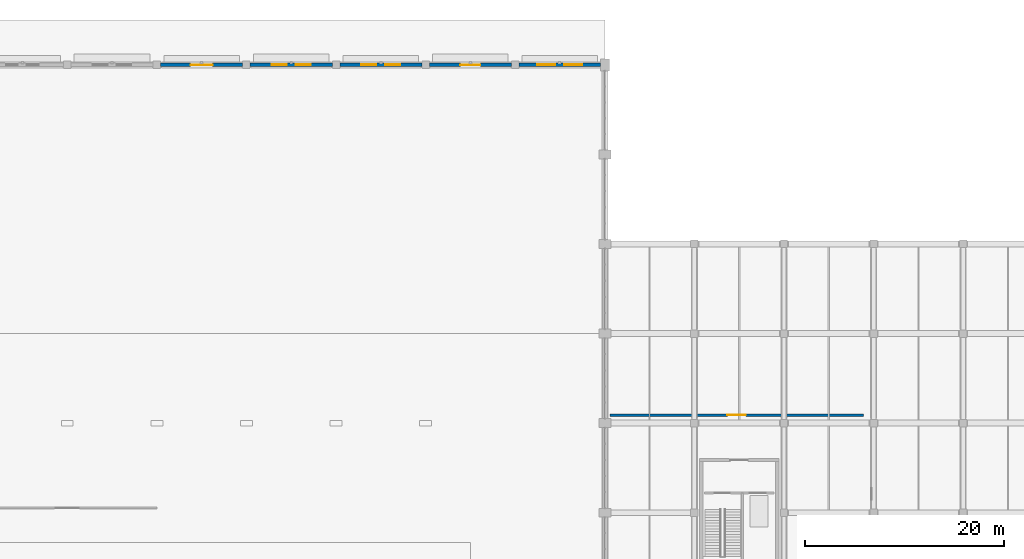
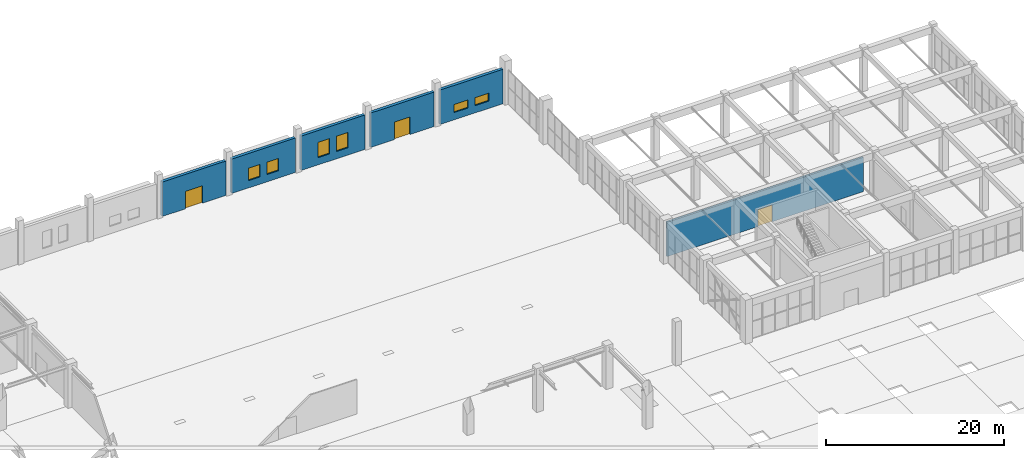
# One storey, part 69 of 91: 6 walls, 6 windows, 3 doors, 9 openings.
"""IFC4 building model written with IfcOpenShell, lengths in metres."""

from ifc_helpers import new_model, si_unit, direction, frame, frame_2d, origin, place, context, subcontext, project, spatial, rectangle, extrude, material, layer, layer_set, type_object, element, fill, save


model = new_model("IFC4")

# Units and contexts
model_context = context("Model", 3, precision=1e-05, world=origin(), true_north=direction((0.0, 1.0)))
body_context = subcontext(model_context, "Body", "Model", "MODEL_VIEW")
ifc_project = project(units=[si_unit("LENGTHUNIT", "METRE"), si_unit("AREAUNIT", "SQUARE_METRE"), si_unit("VOLUMEUNIT", "CUBIC_METRE"), si_unit("PLANEANGLEUNIT", "RADIAN"), si_unit("MASSUNIT", "GRAM", prefix="KILO")], contexts=[model_context])

# Site, building, storey
site_placement = place(None, origin())
site = spatial("IfcSite", under=ifc_project, at=site_placement, CompositionType="ELEMENT")
building_placement = place(site_placement, origin())
building = spatial("IfcBuilding", under=site, at=building_placement, Name="Dornveld Trade and Exhibition Forum", CompositionType="ELEMENT")
storey_placement = place(building_placement, origin())
storey = spatial("IfcBuildingStorey", under=building, at=storey_placement, Name="L00", CompositionType="ELEMENT", Elevation=0.0)

# Wall, opening, door
ifc_material_1 = material(Name="Precast concrete C50/60", Category="concrete")
ifc_layer_1 = layer(ifc_material_1, 0.3798828125)
ifc_layer_set_1 = layer_set([ifc_layer_1], Name="Precast concrete C50/60")
wall_type_1 = type_object("IfcWallType", Name="WL-EXT-PC380", PredefinedType="SOLIDWALL", material=ifc_layer_set_1)
wall_1_placement = place(storey_placement, frame((134.62548828125, 162.0, 0.0), z_axis=(0.0, 0.0, 1.0), x_axis=(-1.0, 0.0, 0.0)))
wall_1 = element("IfcWall", 1, at=wall_1_placement, inside=storey, type_object=wall_type_1, Name="L00 precast facade wall 31", PredefinedType="SOLIDWALL", context=body_context, shape_type="SweptSolid", body=[
    extrude(rectangle(XDim=8.2509765625, YDim=0.3798828125, at=frame_2d((4.12548828125, 0.0))), origin(), (0.0, 0.0, 1.0), 4.719970703125),
])
opening_1_placement = place(wall_1_placement, frame((3.025390625, 0.0, 0.0)))
opening_1 = element("IfcOpeningElement", 2, at=opening_1_placement, cuts=wall_1, Name="Opening ED-14", PredefinedType="OPENING", context=body_context, shape_type="SweptSolid", body=[
    extrude(rectangle(XDim=2.199951171875, YDim=2.39990234375, at=frame_2d((1.10009765625, 1.199951171875))), frame((0.0, 0.199951171875, 0.0), z_axis=(0.0, -1.0, 0.0), x_axis=(1.0, 0.0, 0.0)), (0.0, 0.0, 1.0), 0.39990234375),
])
ifc_material_2 = material(Name="Dark-bronze anodised aluminium and laminated safety glass", Category="aluminium")
door_type_1 = type_object("IfcDoorType", Name="DR-EXT-220x240", OperationType="NOTDEFINED", PredefinedType="DOOR", material=ifc_material_2)
door_1_placement = place(opening_1_placement, frame((2.199951171875, 0.0, 0.0), z_axis=(0.0, 0.0, 1.0), x_axis=(-1.0, 0.0, 0.0)))
door_1 = element("IfcDoor", 3, at=door_1_placement, inside=storey, type_object=door_type_1, Name="Ground final exit double door 14", OperationType="DOUBLE_DOOR_SINGLE_SWING", OverallHeight=2.39990234375, OverallWidth=2.199951171875, PredefinedType="DOOR", context=body_context, shape_type="SweptSolid", body=[
    extrude(rectangle(XDim=2.199951171875, YDim=2.39990234375, at=frame_2d((1.10009765625, 1.199951171875))), frame((0.0, 0.02490234375, 0.0), z_axis=(0.0, -1.0, 0.0), x_axis=(1.0, 0.0, 0.0)), (0.0, 0.0, 1.0), 0.050048828125),
])
fill(opening_1, door_1)

# Wall, openings, windows
wall_2_placement = place(storey_placement, frame((143.62548828125, 162.0, 0.0), z_axis=(0.0, 0.0, 1.0), x_axis=(-1.0, 0.0, 0.0)))
wall_2 = element("IfcWall", 4, at=wall_2_placement, inside=storey, type_object=wall_type_1, Name="L00 precast facade wall 32", PredefinedType="SOLIDWALL", context=body_context, shape_type="SweptSolid", body=[
    extrude(rectangle(XDim=8.2509765625, YDim=0.3798828125, at=frame_2d((4.12548828125, 0.0))), origin(), (0.0, 0.0, 1.0), 4.719970703125),
])
opening_2_placement = place(wall_2_placement, frame((2.175537109375, 0.0, 1.0)))
opening_2 = element("IfcOpeningElement", 5, at=opening_2_placement, cuts=wall_2, Name="Opening W-11", PredefinedType="OPENING", context=body_context, shape_type="SweptSolid", body=[
    extrude(rectangle(XDim=1.5, YDim=1.699951171875, at=frame_2d((0.75, 0.85009765625))), frame((0.0, 0.199951171875, 0.0), z_axis=(0.0, -1.0, 0.0), x_axis=(1.0, 0.0, 0.0)), (0.0, 0.0, 1.0), 0.39990234375),
])
opening_3_placement = place(wall_2_placement, frame((4.575439453125, 0.0, 1.0)))
opening_3 = element("IfcOpeningElement", 6, at=opening_3_placement, cuts=wall_2, Name="Opening W-11", PredefinedType="OPENING", context=body_context, shape_type="SweptSolid", body=[
    extrude(rectangle(XDim=1.5, YDim=1.699951171875, at=frame_2d((0.75, 0.85009765625))), frame((0.0, 0.199951171875, 0.0), z_axis=(0.0, -1.0, 0.0), x_axis=(1.0, 0.0, 0.0)), (0.0, 0.0, 1.0), 0.39990234375),
])
ifc_material_3 = material(Name="Dark-bronze anodised aluminium and low-E glass", Category="aluminium")
window_type_1 = type_object("IfcWindowType", Name="WIN-AL-11", PartitioningType="SINGLE_PANEL", PredefinedType="WINDOW", material=ifc_material_3)
window_1_placement = place(opening_2_placement, origin())
window_1 = element("IfcWindow", 7, at=window_1_placement, inside=storey, type_object=window_type_1, Name="L00 facade window 11", OverallHeight=1.699951171875, OverallWidth=1.5, PartitioningType="SINGLE_PANEL", PredefinedType="WINDOW", context=body_context, shape_type="SweptSolid", body=[
    extrude(rectangle(XDim=1.5, YDim=1.699951171875, at=frame_2d((0.75, 0.85009765625))), frame((0.0, 0.030029296875, 0.0), z_axis=(0.0, -1.0, 0.0), x_axis=(1.0, 0.0, 0.0)), (0.0, 0.0, 1.0), 0.06005859375),
])
fill(opening_2, window_1)
window_2_placement = place(opening_3_placement, origin())
window_2 = element("IfcWindow", 8, at=window_2_placement, inside=storey, type_object=window_type_1, Name="L00 facade window 12", OverallHeight=1.699951171875, OverallWidth=1.5, PartitioningType="SINGLE_PANEL", PredefinedType="WINDOW", context=body_context, shape_type="SweptSolid", body=[
    extrude(rectangle(XDim=1.5, YDim=1.699951171875, at=frame_2d((0.75, 0.85009765625))), frame((0.0, 0.030029296875, 0.0), z_axis=(0.0, -1.0, 0.0), x_axis=(1.0, 0.0, 0.0)), (0.0, 0.0, 1.0), 0.06005859375),
])
fill(opening_3, window_2)

wall_3_placement = place(storey_placement, frame((152.62548828125, 162.0, 0.0), z_axis=(0.0, 0.0, 1.0), x_axis=(-1.0, 0.0, 0.0)))
wall_3 = element("IfcWall", 9, at=wall_3_placement, inside=storey, type_object=wall_type_1, Name="L00 precast facade wall 33", PredefinedType="SOLIDWALL", context=body_context, shape_type="SweptSolid", body=[
    extrude(rectangle(XDim=8.2509765625, YDim=0.3798828125, at=frame_2d((4.12548828125, 0.0))), origin(), (0.0, 0.0, 1.0), 4.719970703125),
])
opening_4_placement = place(wall_3_placement, frame((2.175537109375, 0.0, 1.0)))
opening_4 = element("IfcOpeningElement", 10, at=opening_4_placement, cuts=wall_3, Name="Opening W-13", PredefinedType="OPENING", context=body_context, shape_type="SweptSolid", body=[
    extrude(rectangle(XDim=1.5, YDim=2.10009765625, at=frame_2d((0.75, 1.050048828125))), frame((0.0, 0.199951171875, 0.0), z_axis=(0.0, -1.0, 0.0), x_axis=(1.0, 0.0, 0.0)), (0.0, 0.0, 1.0), 0.39990234375),
])
opening_5_placement = place(wall_3_placement, frame((4.575439453125, 0.0, 1.0)))
opening_5 = element("IfcOpeningElement", 11, at=opening_5_placement, cuts=wall_3, Name="Opening W-13", PredefinedType="OPENING", context=body_context, shape_type="SweptSolid", body=[
    extrude(rectangle(XDim=1.5, YDim=2.10009765625, at=frame_2d((0.75, 1.050048828125))), frame((0.0, 0.199951171875, 0.0), z_axis=(0.0, -1.0, 0.0), x_axis=(1.0, 0.0, 0.0)), (0.0, 0.0, 1.0), 0.39990234375),
])
ifc_material_4 = material(Name="Dark-bronze anodised aluminium and low-E glass", Category="aluminium")
window_type_2 = type_object("IfcWindowType", Name="WIN-AL-13", PartitioningType="SINGLE_PANEL", PredefinedType="WINDOW", material=ifc_material_4)
window_3_placement = place(opening_4_placement, origin())
window_3 = element("IfcWindow", 12, at=window_3_placement, inside=storey, type_object=window_type_2, Name="L00 facade window 13", OverallHeight=2.10009765625, OverallWidth=1.5, PartitioningType="SINGLE_PANEL", PredefinedType="WINDOW", context=body_context, shape_type="SweptSolid", body=[
    extrude(rectangle(XDim=1.5, YDim=2.10009765625, at=frame_2d((0.75, 1.050048828125))), frame((0.0, 0.030029296875, 0.0), z_axis=(0.0, -1.0, 0.0), x_axis=(1.0, 0.0, 0.0)), (0.0, 0.0, 1.0), 0.06005859375),
])
fill(opening_4, window_3)
window_4_placement = place(opening_5_placement, origin())
window_4 = element("IfcWindow", 13, at=window_4_placement, inside=storey, type_object=window_type_2, Name="L00 facade window 14", OverallHeight=2.10009765625, OverallWidth=1.5, PartitioningType="SINGLE_PANEL", PredefinedType="WINDOW", context=body_context, shape_type="SweptSolid", body=[
    extrude(rectangle(XDim=1.5, YDim=2.10009765625, at=frame_2d((0.75, 1.050048828125))), frame((0.0, 0.030029296875, 0.0), z_axis=(0.0, -1.0, 0.0), x_axis=(1.0, 0.0, 0.0)), (0.0, 0.0, 1.0), 0.06005859375),
])
fill(opening_5, window_4)

# Wall, opening, door
wall_4_placement = place(storey_placement, frame((161.62548828125, 162.0, 0.0), z_axis=(0.0, 0.0, 1.0), x_axis=(-1.0, 0.0, 0.0)))
wall_4 = element("IfcWall", 14, at=wall_4_placement, inside=storey, type_object=wall_type_1, Name="L00 precast facade wall 34", PredefinedType="SOLIDWALL", context=body_context, shape_type="SweptSolid", body=[
    extrude(rectangle(XDim=8.2509765625, YDim=0.3798828125, at=frame_2d((4.12548828125, 0.0))), origin(), (0.0, 0.0, 1.0), 4.719970703125),
])
opening_6_placement = place(wall_4_placement, frame((3.12548828125, 0.0, 0.0)))
opening_6 = element("IfcOpeningElement", 15, at=opening_6_placement, cuts=wall_4, Name="Opening ED-15", PredefinedType="OPENING", context=body_context, shape_type="SweptSolid", body=[
    extrude(rectangle(XDim=2.0, YDim=2.39990234375, at=frame_2d((1.0, 1.199951171875))), frame((0.0, 0.199951171875, 0.0), z_axis=(0.0, -1.0, 0.0), x_axis=(1.0, 0.0, 0.0)), (0.0, 0.0, 1.0), 0.39990234375),
])
ifc_material_5 = material(Name="Dark-bronze anodised aluminium and laminated safety glass", Category="aluminium")
door_type_2 = type_object("IfcDoorType", Name="DR-EXT-200x240", OperationType="NOTDEFINED", PredefinedType="DOOR", material=ifc_material_5)
door_2_placement = place(opening_6_placement, frame((2.0, 0.0, 0.0), z_axis=(0.0, 0.0, 1.0), x_axis=(-1.0, 0.0, 0.0)))
door_2 = element("IfcDoor", 16, at=door_2_placement, inside=storey, type_object=door_type_2, Name="Ground final exit double door 15", OperationType="DOUBLE_DOOR_SINGLE_SWING", OverallHeight=2.39990234375, OverallWidth=2.0, PredefinedType="DOOR", context=body_context, shape_type="SweptSolid", body=[
    extrude(rectangle(XDim=2.0, YDim=2.39990234375, at=frame_2d((1.0, 1.199951171875))), frame((0.0, 0.02490234375, 0.0), z_axis=(0.0, -1.0, 0.0), x_axis=(1.0, 0.0, 0.0)), (0.0, 0.0, 1.0), 0.050048828125),
])
fill(opening_6, door_2)

# Wall, openings, windows
wall_5_placement = place(storey_placement, frame((170.550537109375, 162.0, 0.0), z_axis=(0.0, 0.0, 1.0), x_axis=(-1.0, 0.0, 0.0)))
wall_5 = element("IfcWall", 17, at=wall_5_placement, inside=storey, type_object=wall_type_1, Name="L00 precast facade wall 35", PredefinedType="SOLIDWALL", context=body_context, shape_type="SweptSolid", body=[
    extrude(rectangle(XDim=8.176025390625, YDim=0.3798828125, at=frame_2d((4.087890625, 0.0))), origin(), (0.0, 0.0, 1.0), 4.719970703125),
])
opening_7_placement = place(wall_5_placement, frame((1.837890625, 0.0, 1.0)))
opening_7 = element("IfcOpeningElement", 18, at=opening_7_placement, cuts=wall_5, Name="Opening W-15", PredefinedType="OPENING", context=body_context, shape_type="SweptSolid", body=[
    extrude(rectangle(XDim=1.800048828125, YDim=1.10009765625, at=frame_2d((0.89990234375, 0.550048828125))), frame((0.0, 0.199951171875, 0.0), z_axis=(0.0, -1.0, 0.0), x_axis=(1.0, 0.0, 0.0)), (0.0, 0.0, 1.0), 0.39990234375),
])
opening_8_placement = place(wall_5_placement, frame((4.5380859375, 0.0, 1.0)))
opening_8 = element("IfcOpeningElement", 19, at=opening_8_placement, cuts=wall_5, Name="Opening W-15", PredefinedType="OPENING", context=body_context, shape_type="SweptSolid", body=[
    extrude(rectangle(XDim=1.800048828125, YDim=1.10009765625, at=frame_2d((0.89990234375, 0.550048828125))), frame((0.0, 0.199951171875, 0.0), z_axis=(0.0, -1.0, 0.0), x_axis=(1.0, 0.0, 0.0)), (0.0, 0.0, 1.0), 0.39990234375),
])
ifc_material_6 = material(Name="Dark-bronze anodised aluminium and low-E glass", Category="aluminium")
window_type_3 = type_object("IfcWindowType", Name="WIN-AL-15", PartitioningType="SINGLE_PANEL", PredefinedType="WINDOW", material=ifc_material_6)
window_5_placement = place(opening_7_placement, origin())
window_5 = element("IfcWindow", 20, at=window_5_placement, inside=storey, type_object=window_type_3, Name="L00 facade window 15", OverallHeight=1.10009765625, OverallWidth=1.800048828125, PartitioningType="SINGLE_PANEL", PredefinedType="WINDOW", context=body_context, shape_type="SweptSolid", body=[
    extrude(rectangle(XDim=1.800048828125, YDim=1.10009765625, at=frame_2d((0.89990234375, 0.550048828125))), frame((0.0, 0.030029296875, 0.0), z_axis=(0.0, -1.0, 0.0), x_axis=(1.0, 0.0, 0.0)), (0.0, 0.0, 1.0), 0.06005859375),
])
fill(opening_7, window_5)
window_6_placement = place(opening_8_placement, origin())
window_6 = element("IfcWindow", 21, at=window_6_placement, inside=storey, type_object=window_type_3, Name="L00 facade window 16", OverallHeight=1.10009765625, OverallWidth=1.800048828125, PartitioningType="SINGLE_PANEL", PredefinedType="WINDOW", context=body_context, shape_type="SweptSolid", body=[
    extrude(rectangle(XDim=1.800048828125, YDim=1.10009765625, at=frame_2d((0.89990234375, 0.550048828125))), frame((0.0, 0.030029296875, 0.0), z_axis=(0.0, -1.0, 0.0), x_axis=(1.0, 0.0, 0.0)), (0.0, 0.0, 1.0), 0.06005859375),
])
fill(opening_8, window_6)

# Wall, opening, door
ifc_material_7 = material(Name="Acoustic twin-stud gypsum and mineral wool", Category="gypsum")
ifc_layer_2 = layer(ifc_material_7, 0.25)
ifc_layer_set_2 = layer_set([ifc_layer_2], Name="Acoustic twin-stud gypsum and mineral wool")
wall_type_2 = type_object("IfcWallType", Name="WL-INT-AC250", PredefinedType="PARTITIONING", material=ifc_layer_set_2)
wall_6_placement = place(storey_placement, frame((171.52001953125, 126.800048828125, 0.0), z_axis=(0.0, 0.0, 1.0), x_axis=(1.0, 0.0, 0.0)))
wall_6 = element("IfcWall", 22, at=wall_6_placement, inside=storey, type_object=wall_type_2, Name="L00 interior partition 39", PredefinedType="PARTITIONING", context=body_context, shape_type="SweptSolid", body=[
    extrude(rectangle(XDim=25.4599609375, YDim=0.25, at=frame_2d((12.72998046875, 0.0))), origin(), (0.0, 0.0, 1.0), 4.699951171875),
])
opening_9_placement = place(wall_6_placement, frame((11.804931640625, 0.0, 0.0)))
opening_9 = element("IfcOpeningElement", 23, at=opening_9_placement, cuts=wall_6, Name="Opening MRD-01-027", PredefinedType="OPENING", context=body_context, shape_type="SweptSolid", body=[
    extrude(rectangle(XDim=1.85009765625, YDim=2.300048828125, at=frame_2d((0.925048828125, 1.14990234375))), frame((0.0, 0.135009765625, 0.0), z_axis=(0.0, -1.0, 0.0), x_axis=(1.0, 0.0, 0.0)), (0.0, 0.0, 1.0), 0.27001953125),
])
ifc_material_8 = material(Name="Acoustic timber meeting-room double door", Category="wood")
door_type_3 = type_object("IfcDoorType", Name="DR-MEET-185x230", OperationType="NOTDEFINED", PredefinedType="DOOR", material=ifc_material_8)
door_3_placement = place(opening_9_placement, origin())
door_3 = element("IfcDoor", 24, at=door_3_placement, inside=storey, type_object=door_type_3, Name="L00 interior room door 27", OperationType="DOUBLE_DOOR_SINGLE_SWING", OverallHeight=2.300048828125, OverallWidth=1.85009765625, PredefinedType="DOOR", context=body_context, shape_type="SweptSolid", body=[
    extrude(rectangle(XDim=1.85009765625, YDim=2.300048828125, at=frame_2d((0.925048828125, 1.14990234375))), frame((0.0, 0.02490234375, 0.0), z_axis=(0.0, -1.0, 0.0), x_axis=(1.0, 0.0, 0.0)), (0.0, 0.0, 1.0), 0.050048828125),
])
fill(opening_9, door_3)

save(model, "model.ifc")
